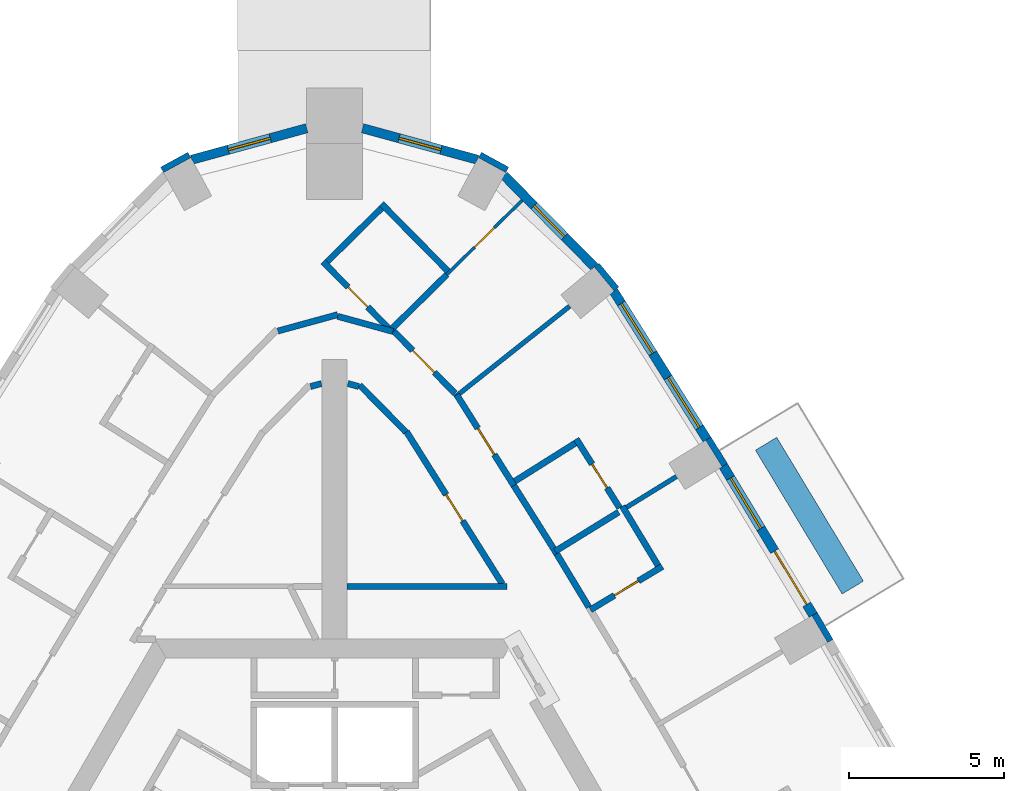
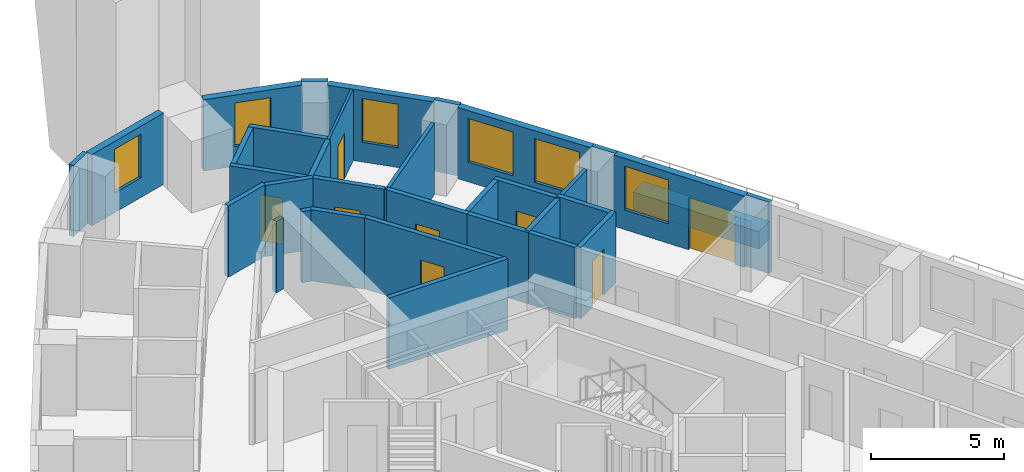
# One storey, part 10 of 14: 34 walls, 8 doors, 6 windows, 14 openings.
"""IFC4 building model written with IfcOpenShell, lengths in metres."""

from ifc_helpers import new_model, si_unit, direction, frame, frame_2d, origin, place, context, subcontext, project, spatial, rectangle, extrude, material, layer, layer_set, type_object, element, fill, save


model = new_model("IFC4")

# Units and contexts
model_context = context("Model", 3, precision=1e-05, world=origin(), true_north=direction((0.0, 1.0)))
body_context = subcontext(model_context, "Body", "Model", "MODEL_VIEW")
ifc_project = project(units=[si_unit("LENGTHUNIT", "METRE"), si_unit("AREAUNIT", "SQUARE_METRE"), si_unit("VOLUMEUNIT", "CUBIC_METRE"), si_unit("PLANEANGLEUNIT", "RADIAN"), si_unit("MASSUNIT", "GRAM", prefix="KILO")], contexts=[model_context])

# Site, building, storey
site_placement = place(None, origin())
site = spatial("IfcSite", under=ifc_project, at=site_placement, CompositionType="ELEMENT")
building_placement = place(site_placement, origin())
building = spatial("IfcBuilding", under=site, at=building_placement, Name="Entoto Arch Interchange Tower", CompositionType="ELEMENT")
storey_placement = place(building_placement, frame((0.0, 0.0, 252.199951171875)))
storey = spatial("IfcBuildingStorey", under=building, at=storey_placement, Name="L57", CompositionType="ELEMENT", Elevation=252.199951171875)

# Wall, opening, door
ifc_material_1 = material(Name="Gypsum board partition on steel studs", Category="steel")
ifc_layer_1 = layer(ifc_material_1, 0.10009765625)
ifc_layer_set_1 = layer_set([ifc_layer_1], Name="Gypsum board partition on steel studs")
wall_type_1 = type_object("IfcWallType", Name="PARTITION 100", PredefinedType="PARTITIONING", material=ifc_layer_set_1)
wall_1_placement = place(storey_placement, frame((3.613037109375, 24.237060546875, 0.0), z_axis=(0.0, 0.0, 1.0), x_axis=(0.711651188682, 0.702532978335, 0.0)))
wall_1 = element("IfcWall", 1, at=wall_1_placement, inside=storey, type_object=wall_type_1, Name="wall:L57:p150", PredefinedType="PARTITIONING", context=body_context, shape_type="SweptSolid", body=[
    extrude(rectangle(XDim=3.400390625, YDim=0.10009765625, at=frame_2d((1.7001953125, 0.0))), origin(), (0.0, 0.0, 1.0), 3.260009765625),
])
opening_1_placement = place(wall_1_placement, frame((1.25, 0.0, 0.0)))
opening_1 = element("IfcOpeningElement", 2, at=opening_1_placement, cuts=wall_1, Name="Opening L57-D17", PredefinedType="OPENING", context=body_context, shape_type="SweptSolid", body=[
    extrude(rectangle(XDim=0.89990234375, YDim=2.10009765625, at=frame_2d((0.449951171875, 1.050048828125))), frame((0.0, 0.06005859375, 0.0), z_axis=(0.0, -1.0, 0.0), x_axis=(1.0, 0.0, 0.0)), (0.0, 0.0, 1.0), 0.1201171875),
])
ifc_material_2 = material(Name="Timber door leaf in Steel S235 frame", Category="steel")
door_type_1 = type_object("IfcDoorType", Name="DOOR DS-09 900x2100", OperationType="SINGLE_SWING_LEFT", PredefinedType="DOOR", material=ifc_material_2)
door_1_placement = place(opening_1_placement, origin())
door_1 = element("IfcDoor", 3, at=door_1_placement, inside=storey, type_object=door_type_1, Name="door:L57:17", OperationType="SINGLE_SWING_RIGHT", OverallHeight=2.10009765625, OverallWidth=0.89990234375, PredefinedType="DOOR", context=body_context, shape_type="SweptSolid", body=[
    extrude(rectangle(XDim=0.89990234375, YDim=2.10009765625, at=frame_2d((0.449951171875, 1.050048828125))), frame((0.0, 0.02490234375, 0.0), z_axis=(0.0, -1.0, 0.0), x_axis=(1.0, 0.0, 0.0)), (0.0, 0.0, 1.0), 0.050048828125),
])
fill(opening_1, door_1)

# Walls
ifc_layer_2 = layer(ifc_material_1, 0.14990234375)
ifc_layer_set_2 = layer_set([ifc_layer_2], Name="Gypsum board partition on steel studs")
wall_type_2 = type_object("IfcWallType", Name="PARTITION 150", PredefinedType="PARTITIONING", material=ifc_layer_set_2)
wall_2_placement = place(storey_placement, frame((9.39501953125, 16.74609375, 0.0), z_axis=(0.0, 0.0, 1.0), x_axis=(0.851524542888, 0.524314745987, 0.0)))
element("IfcWall", 4, at=wall_2_placement, inside=storey, type_object=wall_type_2, Name="wall:L57:p145", PredefinedType="PARTITIONING", context=body_context, shape_type="SweptSolid", body=[
    extrude(rectangle(XDim=1.880126953125, YDim=0.14990234375, at=frame_2d((0.93994140625, 0.0))), origin(), (0.0, 0.0, 1.0), 3.260009765625),
])
wall_3_placement = place(storey_placement, frame((3.863037109375, 20.283935546875, 0.0), z_axis=(0.0, 0.0, 1.0), x_axis=(0.783618453885, 0.621242399335, 0.0)))
element("IfcWall", 5, at=wall_3_placement, inside=storey, type_object=wall_type_2, Name="wall:L57:p149", PredefinedType="PARTITIONING", context=body_context, shape_type="SweptSolid", body=[
    extrude(rectangle(XDim=4.716552734375, YDim=0.14990234375, at=frame_2d((2.3583984375, 0.0))), origin(), (0.0, 0.0, 1.0), 3.260009765625),
])
ifc_layer_3 = layer(ifc_material_1, 0.199951171875)
ifc_layer_set_3 = layer_set([ifc_layer_3], Name="Gypsum board partition on steel studs")
wall_type_3 = type_object("IfcWallType", Name="PARTITION 200", PredefinedType="PARTITIONING", material=ifc_layer_set_3)
wall_4_placement = place(storey_placement, frame((0.39990234375, 14.199951171875, 0.0), z_axis=(0.0, 0.0, 1.0), x_axis=(1.0, 0.0, 0.0)))
element("IfcWall", 6, at=wall_4_placement, inside=storey, type_object=wall_type_3, Name="wall:L57:p006", PredefinedType="PARTITIONING", context=body_context, shape_type="SweptSolid", body=[
    extrude(rectangle(XDim=5.14306640625, YDim=0.199951171875, at=frame_2d((2.571533203125, 0.0))), origin(), (0.0, 0.0, 1.0), 3.260009765625),
])

# Wall, opening, door
wall_5_placement = place(storey_placement, frame((5.39404296875, 14.281005859375, 0.0), z_axis=(0.0, 0.0, 1.0), x_axis=(-0.532551510955, 0.846397594621, 0.0)))
wall_5 = element("IfcWall", 7, at=wall_5_placement, inside=storey, type_object=wall_type_3, Name="wall:L57:p007", PredefinedType="PARTITIONING", context=body_context, shape_type="SweptSolid", body=[
    extrude(rectangle(XDim=5.7890625, YDim=0.199951171875, at=frame_2d((2.89453125, 0.0))), origin(), (0.0, 0.0, 1.0), 3.260009765625),
])
opening_2_placement = place(wall_5_placement, frame((2.39404296875, 0.0, 0.0)))
opening_2 = element("IfcOpeningElement", 8, at=opening_2_placement, cuts=wall_5, Name="Opening L57-D38", PredefinedType="OPENING", context=body_context, shape_type="SweptSolid", body=[
    extrude(rectangle(XDim=1.0, YDim=2.10009765625, at=frame_2d((0.5, 1.050048828125))), frame((0.0, 0.10986328125, 0.0), z_axis=(0.0, -1.0, 0.0), x_axis=(1.0, 0.0, 0.0)), (0.0, 0.0, 1.0), 0.219970703125),
])
door_type_2 = type_object("IfcDoorType", Name="DOOR DS-10 1000x2100", OperationType="SINGLE_SWING_LEFT", PredefinedType="DOOR", material=ifc_material_2)
door_2_placement = place(opening_2_placement, origin())
door_2 = element("IfcDoor", 9, at=door_2_placement, inside=storey, type_object=door_type_2, Name="door:L57:38", OperationType="SINGLE_SWING_LEFT", OverallHeight=2.10009765625, OverallWidth=1.0, PredefinedType="DOOR", context=body_context, shape_type="SweptSolid", body=[
    extrude(rectangle(XDim=1.0, YDim=2.10009765625, at=frame_2d((0.5, 1.050048828125))), frame((0.0, 0.02490234375, 0.0), z_axis=(0.0, -1.0, 0.0), x_axis=(1.0, 0.0, 0.0)), (0.0, 0.0, 1.0), 0.050048828125),
])
fill(opening_2, door_2)

# Walls
wall_6_placement = place(storey_placement, frame((2.2939453125, 19.1669921875, 0.0), z_axis=(0.0, 0.0, 1.0), x_axis=(-0.70213913596, 0.712039769784, 0.0)))
element("IfcWall", 10, at=wall_6_placement, inside=storey, type_object=wall_type_3, Name="wall:L57:p008", PredefinedType="PARTITIONING", context=body_context, shape_type="SweptSolid", body=[
    extrude(rectangle(XDim=2.12060546875, YDim=0.199951171875, at=frame_2d((1.060302734375, 0.0))), origin(), (0.0, 0.0, 1.0), 3.260009765625),
])
for number, where, z_axis, x_axis, name in (
    (11, (0.778076171875, 20.632080078125, 0.0), (0.0, 0.0, 1.0), (-0.964810127056, 0.262947558899, 0.0), "wall:L57:p009"),
    (12, (-0.426025390625, 20.72802734375, 0.0), (0.0, 0.0, 1.0), (-0.964810127056, -0.262947558899, 0.0), "wall:L57:p011"),
):
    element("IfcWall", number, at=place(storey_placement, frame(where, z_axis=z_axis, x_axis=x_axis)), inside=storey, type_object=wall_type_3, Name=name, PredefinedType="PARTITIONING", context=body_context, shape_type="SweptSolid", body=[
        extrude(rectangle(XDim=0.364990234375, YDim=0.199951171875, at=frame_2d((0.1826171875, 0.0))), origin(), (0.0, 0.0, 1.0), 3.260009765625),
    ])
wall_7_placement = place(storey_placement, frame((7.14794921875, 15.2451171875, 0.0), z_axis=(0.0, 0.0, 1.0), x_axis=(0.516361066184, -0.856370976463, 0.0)))
element("IfcWall", 13, at=wall_7_placement, inside=storey, type_object=wall_type_3, Name="wall:L57:p049", PredefinedType="PARTITIONING", context=body_context, shape_type="SweptSolid", body=[
    extrude(rectangle(XDim=2.00048828125, YDim=0.199951171875, at=frame_2d((1.000244140625, 0.0))), origin(), (0.0, 0.0, 1.0), 3.260009765625),
])

# Wall, opening, door
wall_8_placement = place(storey_placement, frame((3.927978515625, 20.366943359375, 0.0), z_axis=(0.0, 0.0, 1.0), x_axis=(0.532616247911, -0.846356858814, 0.0)))
wall_8 = element("IfcWall", 14, at=wall_8_placement, inside=storey, type_object=wall_type_3, Name="wall:L57:p050", PredefinedType="PARTITIONING", context=body_context, shape_type="SweptSolid", body=[
    extrude(rectangle(XDim=3.451171875, YDim=0.199951171875, at=frame_2d((1.7255859375, 0.0))), origin(), (0.0, 0.0, 1.0), 3.260009765625),
])
opening_3_placement = place(wall_8_placement, frame((1.27490234375, 0.0, 0.0)))
opening_3 = element("IfcOpeningElement", 15, at=opening_3_placement, cuts=wall_8, Name="Opening L57-D14", PredefinedType="OPENING", context=body_context, shape_type="SweptSolid", body=[
    extrude(rectangle(XDim=1.0, YDim=2.10009765625, at=frame_2d((0.5, 1.050048828125))), frame((0.0, 0.10986328125, 0.0), z_axis=(0.0, -1.0, 0.0), x_axis=(1.0, 0.0, 0.0)), (0.0, 0.0, 1.0), 0.219970703125),
])
ifc_material_3 = material(Name="Fire-rated Steel S235 door and frame", Category="steel")
door_type_3 = type_object("IfcDoorType", Name="DOOR FD-10 1000x2100", OperationType="SINGLE_SWING_LEFT", PredefinedType="DOOR", material=ifc_material_3)
door_3_placement = place(opening_3_placement, origin())
door_3 = element("IfcDoor", 16, at=door_3_placement, inside=storey, type_object=door_type_3, Name="door:L57:14", OperationType="SINGLE_SWING_LEFT", OverallHeight=2.10009765625, OverallWidth=1.0, PredefinedType="DOOR", context=body_context, shape_type="SweptSolid", body=[
    extrude(rectangle(XDim=1.0, YDim=2.10009765625, at=frame_2d((0.5, 1.050048828125))), frame((0.0, 0.02490234375, 0.0), z_axis=(0.0, -1.0, 0.0), x_axis=(1.0, 0.0, 0.0)), (0.0, 0.0, 1.0), 0.050048828125),
])
fill(opening_3, door_3)

# Wall
wall_9_placement = place(storey_placement, frame((5.76611328125, 17.446044921875, 0.0), z_axis=(0.0, 0.0, 1.0), x_axis=(0.532437006176, -0.846469629966, 0.0)))
element("IfcWall", 17, at=wall_9_placement, inside=storey, type_object=wall_type_3, Name="wall:L57:p051", PredefinedType="PARTITIONING", context=body_context, shape_type="SweptSolid", body=[
    extrude(rectangle(XDim=2.598876953125, YDim=0.199951171875, at=frame_2d((1.29931640625, 0.0))), origin(), (0.0, 0.0, 1.0), 3.260009765625),
])

# Wall, opening, door
wall_10_placement = place(storey_placement, frame((1.85107421875, 22.464111328125, 0.0), z_axis=(0.0, 0.0, 1.0), x_axis=(0.70237969133, -0.711802479068, 0.0)))
wall_10 = element("IfcWall", 18, at=wall_10_placement, inside=storey, type_object=wall_type_3, Name="wall:L57:p052", PredefinedType="PARTITIONING", context=body_context, shape_type="SweptSolid", body=[
    extrude(rectangle(XDim=2.8759765625, YDim=0.199951171875, at=frame_2d((1.43798828125, 0.0))), origin(), (0.0, 0.0, 1.0), 3.260009765625),
])
opening_4_placement = place(wall_10_placement, frame((0.93798828125, 0.0, 0.0)))
opening_4 = element("IfcOpeningElement", 19, at=opening_4_placement, cuts=wall_10, Name="Opening L57-D16", PredefinedType="OPENING", context=body_context, shape_type="SweptSolid", body=[
    extrude(rectangle(XDim=1.0, YDim=2.10009765625, at=frame_2d((0.5, 1.050048828125))), frame((0.0, 0.10986328125, 0.0), z_axis=(0.0, -1.0, 0.0), x_axis=(1.0, 0.0, 0.0)), (0.0, 0.0, 1.0), 0.219970703125),
])
door_4_placement = place(opening_4_placement, origin())
door_4 = element("IfcDoor", 20, at=door_4_placement, inside=storey, type_object=door_type_3, Name="door:L57:16", OperationType="SINGLE_SWING_LEFT", OverallHeight=2.10009765625, OverallWidth=1.0, PredefinedType="DOOR", context=body_context, shape_type="SweptSolid", body=[
    extrude(rectangle(XDim=1.0, YDim=2.10009765625, at=frame_2d((0.5, 1.050048828125))), frame((0.0, 0.02490234375, 0.0), z_axis=(0.0, -1.0, 0.0), x_axis=(1.0, 0.0, 0.0)), (0.0, 0.0, 1.0), 0.050048828125),
])
fill(opening_4, door_4)

# Walls
wall_11_placement = place(storey_placement, frame((-1.824951171875, 22.4189453125, 0.0), z_axis=(0.0, 0.0, 1.0), x_axis=(0.964477541401, 0.26416485787, 0.0)))
element("IfcWall", 21, at=wall_11_placement, inside=storey, type_object=wall_type_3, Name="wall:L57:p054", PredefinedType="PARTITIONING", context=body_context, shape_type="SweptSolid", body=[
    extrude(rectangle(XDim=1.99169921875, YDim=0.199951171875, at=frame_2d((0.995849609375, 0.0))), origin(), (0.0, 0.0, 1.0), 3.260009765625),
])
wall_12_placement = place(storey_placement, frame((0.095947265625, 22.89208984375, 0.0), z_axis=(0.0, 0.0, 1.0), x_axis=(0.964519582336, -0.264011316595, 0.0)))
element("IfcWall", 22, at=wall_12_placement, inside=storey, type_object=wall_type_3, Name="wall:L57:p055", PredefinedType="PARTITIONING", context=body_context, shape_type="SweptSolid", body=[
    extrude(rectangle(XDim=1.8486328125, YDim=0.199951171875, at=frame_2d((0.92431640625, 0.0))), origin(), (0.0, 0.0, 1.0), 3.260009765625),
])

# Wall, opening, door
wall_13_placement = place(storey_placement, frame((8.23291015625, 13.446044921875, 0.0), z_axis=(0.0, 0.0, 1.0), x_axis=(0.856373825811, 0.516356340589, 0.0)))
wall_13 = element("IfcWall", 23, at=wall_13_placement, inside=storey, type_object=wall_type_3, Name="wall:L57:p143", PredefinedType="PARTITIONING", context=body_context, shape_type="SweptSolid", body=[
    extrude(rectangle(XDim=2.69970703125, YDim=0.199951171875, at=frame_2d((1.349853515625, 0.0))), origin(), (0.0, 0.0, 1.0), 3.260009765625),
])
opening_5_placement = place(wall_13_placement, frame((0.89990234375, 0.0, 0.0)))
opening_5 = element("IfcOpeningElement", 24, at=opening_5_placement, cuts=wall_13, Name="Opening L57-D13", PredefinedType="OPENING", context=body_context, shape_type="SweptSolid", body=[
    extrude(rectangle(XDim=0.89990234375, YDim=2.10009765625, at=frame_2d((0.449951171875, 1.050048828125))), frame((0.0, 0.10986328125, 0.0), z_axis=(0.0, -1.0, 0.0), x_axis=(1.0, 0.0, 0.0)), (0.0, 0.0, 1.0), 0.219970703125),
])
door_5_placement = place(opening_5_placement, origin())
door_5 = element("IfcDoor", 25, at=door_5_placement, inside=storey, type_object=door_type_1, Name="door:L57:13", OperationType="SINGLE_SWING_LEFT", OverallHeight=2.10009765625, OverallWidth=0.89990234375, PredefinedType="DOOR", context=body_context, shape_type="SweptSolid", body=[
    extrude(rectangle(XDim=0.89990234375, YDim=2.10009765625, at=frame_2d((0.449951171875, 1.050048828125))), frame((0.0, 0.02490234375, 0.0), z_axis=(0.0, -1.0, 0.0), x_axis=(1.0, 0.0, 0.0)), (0.0, 0.0, 1.0), 0.050048828125),
])
fill(opening_5, door_5)

# Walls
wall_14_placement = place(storey_placement, frame((10.407958984375, 14.8740234375, 0.0), z_axis=(0.0, 0.0, 1.0), x_axis=(-0.516768967276, 0.856124894195, 0.0)))
element("IfcWall", 26, at=wall_14_placement, inside=storey, type_object=wall_type_3, Name="wall:L57:p144", PredefinedType="PARTITIONING", context=body_context, shape_type="SweptSolid", body=[
    extrude(rectangle(XDim=2.22509765625, YDim=0.199951171875, at=frame_2d((1.112548828125, 0.0))), origin(), (0.0, 0.0, 1.0), 3.260009765625),
])
wall_15_placement = place(storey_placement, frame((7.096923828125, 15.330078125, 0.0), z_axis=(0.0, 0.0, 1.0), x_axis=(0.851207242031, 0.524829716302, 0.0)))
element("IfcWall", 27, at=wall_15_placement, inside=storey, type_object=wall_type_3, Name="wall:L57:p146", PredefinedType="PARTITIONING", context=body_context, shape_type="SweptSolid", body=[
    extrude(rectangle(XDim=2.39892578125, YDim=0.199951171875, at=frame_2d((1.199462890625, 0.0))), origin(), (0.0, 0.0, 1.0), 3.260009765625),
])

# Wall, opening, door
wall_16_placement = place(storey_placement, frame((9.172119140625, 16.72509765625, 0.0), z_axis=(0.0, 0.0, 1.0), x_axis=(-0.532329646536, 0.846537150643, 0.0)))
wall_16 = element("IfcWall", 28, at=wall_16_placement, inside=storey, type_object=wall_type_3, Name="wall:L57:p147", PredefinedType="PARTITIONING", context=body_context, shape_type="SweptSolid", body=[
    extrude(rectangle(XDim=2.624755859375, YDim=0.199951171875, at=frame_2d((1.3125, 0.0))), origin(), (0.0, 0.0, 1.0), 3.260009765625),
])
opening_6_placement = place(wall_16_placement, frame((0.762939453125, 0.0, 0.0)))
opening_6 = element("IfcOpeningElement", 29, at=opening_6_placement, cuts=wall_16, Name="Opening L57-D15", PredefinedType="OPENING", context=body_context, shape_type="SweptSolid", body=[
    extrude(rectangle(XDim=0.89990234375, YDim=2.10009765625, at=frame_2d((0.449951171875, 1.050048828125))), frame((0.0, 0.10986328125, 0.0), z_axis=(0.0, -1.0, 0.0), x_axis=(1.0, 0.0, 0.0)), (0.0, 0.0, 1.0), 0.219970703125),
])
door_6_placement = place(opening_6_placement, origin())
door_6 = element("IfcDoor", 30, at=door_6_placement, inside=storey, type_object=door_type_1, Name="door:L57:15", OperationType="SINGLE_SWING_LEFT", OverallHeight=2.10009765625, OverallWidth=0.89990234375, PredefinedType="DOOR", context=body_context, shape_type="SweptSolid", body=[
    extrude(rectangle(XDim=0.89990234375, YDim=2.10009765625, at=frame_2d((0.449951171875, 1.050048828125))), frame((0.0, 0.02490234375, 0.0), z_axis=(0.0, -1.0, 0.0), x_axis=(1.0, 0.0, 0.0)), (0.0, 0.0, 1.0), 0.050048828125),
])
fill(opening_6, door_6)

# Walls
wall_17_placement = place(storey_placement, frame((7.743896484375, 18.80908203125, 0.0), z_axis=(0.0, 0.0, 1.0), x_axis=(-0.846360434059, -0.532610566605, 0.0)))
element("IfcWall", 31, at=wall_17_placement, inside=storey, type_object=wall_type_3, Name="wall:L57:p148", PredefinedType="PARTITIONING", context=body_context, shape_type="SweptSolid", body=[
    extrude(rectangle(XDim=2.30029296875, YDim=0.199951171875, at=frame_2d((1.150146484375, 0.0))), origin(), (0.0, 0.0, 1.0), 3.260009765625),
])
wall_18_placement = place(storey_placement, frame((1.798095703125, 22.446044921875, 0.0), z_axis=(0.0, 0.0, 1.0), x_axis=(0.711782817297, 0.702399616316, 0.0)))
element("IfcWall", 32, at=wall_18_placement, inside=storey, type_object=wall_type_3, Name="wall:L57:p151", PredefinedType="PARTITIONING", context=body_context, shape_type="SweptSolid", body=[
    extrude(rectangle(XDim=2.5498046875, YDim=0.199951171875, at=frame_2d((1.27490234375, 0.0))), origin(), (0.0, 0.0, 1.0), 3.260009765625),
])
wall_19_placement = place(storey_placement, frame((3.718994140625, 24.27197265625, 0.0), z_axis=(0.0, 0.0, 1.0), x_axis=(-0.70232328337, 0.711858135893, 0.0)))
element("IfcWall", 33, at=wall_19_placement, inside=storey, type_object=wall_type_3, Name="wall:L57:p152", PredefinedType="PARTITIONING", context=body_context, shape_type="SweptSolid", body=[
    extrude(rectangle(XDim=3.1494140625, YDim=0.199951171875, at=frame_2d((1.57470703125, 0.0))), origin(), (0.0, 0.0, 1.0), 3.260009765625),
])
wall_20_placement = place(storey_placement, frame((1.506103515625, 26.3720703125, 0.0), z_axis=(0.0, 0.0, 1.0), x_axis=(-0.711773999329, -0.702408551969, 0.0)))
element("IfcWall", 34, at=wall_20_placement, inside=storey, type_object=wall_type_3, Name="wall:L57:p153", PredefinedType="PARTITIONING", context=body_context, shape_type="SweptSolid", body=[
    extrude(rectangle(XDim=2.450439453125, YDim=0.199951171875, at=frame_2d((1.22509765625, 0.0))), origin(), (0.0, 0.0, 1.0), 3.260009765625),
])

# Wall, opening, door
wall_21_placement = place(storey_placement, frame((-0.37890625, 24.652099609375, 0.0), z_axis=(0.0, 0.0, 1.0), x_axis=(0.702559610983, -0.711624896286, 0.0)))
wall_21 = element("IfcWall", 35, at=wall_21_placement, inside=storey, type_object=wall_type_3, Name="wall:L57:p154", PredefinedType="PARTITIONING", context=body_context, shape_type="SweptSolid", body=[
    extrude(rectangle(XDim=3.1240234375, YDim=0.199951171875, at=frame_2d((1.56201171875, 0.0))), origin(), (0.0, 0.0, 1.0), 3.260009765625),
])
opening_7_placement = place(wall_21_placement, frame((1.14990234375, 0.0, 0.0)))
opening_7 = element("IfcOpeningElement", 36, at=opening_7_placement, cuts=wall_21, Name="Opening L57-D18", PredefinedType="OPENING", context=body_context, shape_type="SweptSolid", body=[
    extrude(rectangle(XDim=0.89990234375, YDim=2.10009765625, at=frame_2d((0.449951171875, 1.050048828125))), frame((0.0, 0.10986328125, 0.0), z_axis=(0.0, -1.0, 0.0), x_axis=(1.0, 0.0, 0.0)), (0.0, 0.0, 1.0), 0.219970703125),
])
door_7_placement = place(opening_7_placement, origin())
door_7 = element("IfcDoor", 37, at=door_7_placement, inside=storey, type_object=door_type_1, Name="door:L57:18", OperationType="SINGLE_SWING_RIGHT", OverallHeight=2.10009765625, OverallWidth=0.89990234375, PredefinedType="DOOR", context=body_context, shape_type="SweptSolid", body=[
    extrude(rectangle(XDim=0.89990234375, YDim=2.10009765625, at=frame_2d((0.449951171875, 1.050048828125))), frame((0.0, 0.02490234375, 0.0), z_axis=(0.0, -1.0, 0.0), x_axis=(1.0, 0.0, 0.0)), (0.0, 0.0, 1.0), 0.050048828125),
])
fill(opening_7, door_7)

# Wall
ifc_material_4 = material(Name="Board-marked precast concrete C50/60", Category="concrete")
ifc_layer_4 = layer(ifc_material_4, 0.800048828125)
ifc_layer_set_4 = layer_set([ifc_layer_4], Name="Board-marked precast concrete C50/60")
wall_type_4 = type_object("IfcWallType", Name="PLANTER RC 800 Vachellia abyssinica", PredefinedType="STANDARD", material=ifc_layer_set_4)
wall_22_placement = place(storey_placement, frame((16.675048828125, 14.1630859375, 0.0), z_axis=(0.0, 0.0, 1.0), x_axis=(-0.516301759386, 0.856406733542, 0.0)))
element("IfcWall", 38, at=wall_22_placement, inside=storey, type_object=wall_type_4, Name="Planter NE-04 L57", PredefinedType="STANDARD", context=body_context, shape_type="SweptSolid", body=[
    extrude(rectangle(XDim=5.40380859375, YDim=0.800048828125, at=frame_2d((2.701904296875, 0.0))), origin(), (0.0, 0.0, 1.0), 0.800048828125),
])

# Wall, openings, door, window
ifc_material_5 = material(Name="Welded tuff (ignimbrite) cladding, warm buff", Category="masonry")
ifc_layer_5 = layer(ifc_material_5, 0.300048828125)
ifc_layer_set_5 = layer_set([ifc_layer_5], Name="Welded tuff (ignimbrite) cladding, warm buff")
wall_type_5 = type_object("IfcWallType", Name="STONE INFILL WALL 300", PredefinedType="STANDARD", material=ifc_layer_set_5)
wall_23_placement = place(storey_placement, frame((15.39892578125, 13.277099609375, 0.0), z_axis=(0.0, 0.0, 1.0), x_axis=(-0.516269519619, 0.856426169096, 0.0)))
wall_23 = element("IfcWall", 39, at=wall_23_placement, inside=storey, type_object=wall_type_5, Name="Facade wall NE-04 L57", PredefinedType="STANDARD", context=body_context, shape_type="SweptSolid", body=[
    extrude(rectangle(XDim=5.603271484375, YDim=0.300048828125, at=frame_2d((2.8017578125, 0.0))), origin(), (0.0, 0.0, 1.0), 3.260009765625),
])
opening_8_placement = place(wall_23_placement, frame((0.40087890625, 0.0, 0.0)))
opening_8 = element("IfcOpeningElement", 40, at=opening_8_placement, cuts=wall_23, Name="Opening DB-NE-04-L57", PredefinedType="OPENING", context=body_context, shape_type="SweptSolid", body=[
    extrude(rectangle(XDim=2.0, YDim=2.39990234375, at=frame_2d((1.0, 1.199951171875))), frame((0.0, 0.16015625, 0.0), z_axis=(0.0, -1.0, 0.0), x_axis=(1.0, 0.0, 0.0)), (0.0, 0.0, 1.0), 0.320068359375),
])
opening_9_placement = place(wall_23_placement, frame((3.2529296875, 0.0, 0.89990234375)))
opening_9 = element("IfcOpeningElement", 41, at=opening_9_placement, cuts=wall_23, Name="Opening WH-C", PredefinedType="OPENING", context=body_context, shape_type="SweptSolid", body=[
    extrude(rectangle(XDim=1.89990234375, YDim=2.0, at=frame_2d((0.949951171875, 1.0))), frame((0.0, 0.16015625, 0.0), z_axis=(0.0, -1.0, 0.0), x_axis=(1.0, 0.0, 0.0)), (0.0, 0.0, 1.0), 0.320068359375),
])
ifc_material_6 = material(Name="Aluminium and clear glass, anodised", Category="aluminium")
door_type_4 = type_object("IfcDoorType", Name="BALCONY DOOR DB 2000x2400", OperationType="SLIDING_TO_LEFT", PredefinedType="DOOR", material=ifc_material_6)
door_8_placement = place(opening_8_placement, origin())
door_8 = element("IfcDoor", 42, at=door_8_placement, inside=storey, type_object=door_type_4, Name="Balcony door NE-04 L57", OperationType="SLIDING_TO_LEFT", OverallHeight=2.39990234375, OverallWidth=2.0, PredefinedType="DOOR", context=body_context, shape_type="SweptSolid", body=[
    extrude(rectangle(XDim=2.0, YDim=2.39990234375, at=frame_2d((1.0, 1.199951171875))), frame((0.0, 0.02490234375, 0.0), z_axis=(0.0, -1.0, 0.0), x_axis=(1.0, 0.0, 0.0)), (0.0, 0.0, 1.0), 0.050048828125),
])
fill(opening_8, door_8)
ifc_material_7 = material(Name="Clear glass, low-e double glazed", Category="glass")
window_type_1 = type_object("IfcWindowType", Name="WINDOW WH-C 1900x2000", PartitioningType="DOUBLE_PANEL_VERTICAL", PredefinedType="WINDOW", material=ifc_material_7)
window_1_placement = place(opening_9_placement, origin())
window_1 = element("IfcWindow", 43, at=window_1_placement, inside=storey, type_object=window_type_1, Name="Window WH-C NE-04 L57", OverallHeight=2.0, OverallWidth=1.89990234375, PartitioningType="SINGLE_PANEL", PredefinedType="WINDOW", context=body_context, shape_type="SweptSolid", body=[
    extrude(rectangle(XDim=1.89990234375, YDim=2.0, at=frame_2d((0.949951171875, 1.0))), frame((0.0, 0.030029296875, 0.0), z_axis=(0.0, -1.0, 0.0), x_axis=(1.0, 0.0, 0.0)), (0.0, 0.0, 1.0), 0.06005859375),
])
fill(opening_9, window_1)

# Wall, openings, windows
wall_24_placement = place(storey_placement, frame((11.98291015625, 18.926025390625, 0.0), z_axis=(0.0, 0.0, 1.0), x_axis=(-0.532558226688, 0.846393369059, 0.0)))
wall_24 = element("IfcWall", 44, at=wall_24_placement, inside=storey, type_object=wall_type_5, Name="Facade wall NE-05 L57", PredefinedType="STANDARD", context=body_context, shape_type="SweptSolid", body=[
    extrude(rectangle(XDim=5.636962890625, YDim=0.300048828125, at=frame_2d((2.818359375, 0.0))), origin(), (0.0, 0.0, 1.0), 3.260009765625),
])
opening_10_placement = place(wall_24_placement, frame((0.458984375, 0.0, 0.89990234375)))
opening_10 = element("IfcOpeningElement", 45, at=opening_10_placement, cuts=wall_24, Name="Opening WH-C", PredefinedType="OPENING", context=body_context, shape_type="SweptSolid", body=[
    extrude(rectangle(XDim=1.89990234375, YDim=2.0, at=frame_2d((0.949951171875, 1.0))), frame((0.0, 0.16015625, 0.0), z_axis=(0.0, -1.0, 0.0), x_axis=(1.0, 0.0, 0.0)), (0.0, 0.0, 1.0), 0.320068359375),
])
opening_11_placement = place(wall_24_placement, frame((3.278076171875, 0.0, 0.89990234375)))
opening_11 = element("IfcOpeningElement", 46, at=opening_11_placement, cuts=wall_24, Name="Opening WH-C", PredefinedType="OPENING", context=body_context, shape_type="SweptSolid", body=[
    extrude(rectangle(XDim=1.89990234375, YDim=2.0, at=frame_2d((0.949951171875, 1.0))), frame((0.0, 0.16015625, 0.0), z_axis=(0.0, -1.0, 0.0), x_axis=(1.0, 0.0, 0.0)), (0.0, 0.0, 1.0), 0.320068359375),
])
window_2_placement = place(opening_10_placement, origin())
window_2 = element("IfcWindow", 47, at=window_2_placement, inside=storey, type_object=window_type_1, Name="Window WH-C NE-05 L57", OverallHeight=2.0, OverallWidth=1.89990234375, PartitioningType="SINGLE_PANEL", PredefinedType="WINDOW", context=body_context, shape_type="SweptSolid", body=[
    extrude(rectangle(XDim=1.89990234375, YDim=2.0, at=frame_2d((0.949951171875, 1.0))), frame((0.0, 0.030029296875, 0.0), z_axis=(0.0, -1.0, 0.0), x_axis=(1.0, 0.0, 0.0)), (0.0, 0.0, 1.0), 0.06005859375),
])
fill(opening_10, window_2)
window_3_placement = place(opening_11_placement, origin())
window_3 = element("IfcWindow", 48, at=window_3_placement, inside=storey, type_object=window_type_1, Name="Window WH-C NE-05 L57", OverallHeight=2.0, OverallWidth=1.89990234375, PartitioningType="SINGLE_PANEL", PredefinedType="WINDOW", context=body_context, shape_type="SweptSolid", body=[
    extrude(rectangle(XDim=1.89990234375, YDim=2.0, at=frame_2d((0.949951171875, 1.0))), frame((0.0, 0.030029296875, 0.0), z_axis=(0.0, -1.0, 0.0), x_axis=(1.0, 0.0, 0.0)), (0.0, 0.0, 1.0), 0.06005859375),
])
fill(opening_11, window_3)

# Wall, opening, window
wall_25_placement = place(storey_placement, frame((8.361083984375, 24.47998046875, 0.0), z_axis=(0.0, 0.0, 1.0), x_axis=(-0.702488411246, 0.711695181989, 0.0)))
wall_25 = element("IfcWall", 49, at=wall_25_placement, inside=storey, type_object=wall_type_5, Name="Facade wall N-01 L57", PredefinedType="STANDARD", context=body_context, shape_type="SweptSolid", body=[
    extrude(rectangle(XDim=4.13671875, YDim=0.300048828125, at=frame_2d((2.068359375, 0.0))), origin(), (0.0, 0.0, 1.0), 3.260009765625),
])
opening_12_placement = place(wall_25_placement, frame((1.367919921875, 0.0, 0.89990234375)))
opening_12 = element("IfcOpeningElement", 50, at=opening_12_placement, cuts=wall_25, Name="Opening WH-B", PredefinedType="OPENING", context=body_context, shape_type="SweptSolid", body=[
    extrude(rectangle(XDim=1.39990234375, YDim=2.0, at=frame_2d((0.699951171875, 1.0))), frame((0.0, 0.16015625, 0.0), z_axis=(0.0, -1.0, 0.0), x_axis=(1.0, 0.0, 0.0)), (0.0, 0.0, 1.0), 0.320068359375),
])
window_type_2 = type_object("IfcWindowType", Name="WINDOW WH-B 1400x2000", PartitioningType="DOUBLE_PANEL_VERTICAL", PredefinedType="WINDOW", material=ifc_material_7)
window_4_placement = place(opening_12_placement, origin())
window_4 = element("IfcWindow", 51, at=window_4_placement, inside=storey, type_object=window_type_2, Name="Window WH-B N-01 L57", OverallHeight=2.0, OverallWidth=1.39990234375, PartitioningType="SINGLE_PANEL", PredefinedType="WINDOW", context=body_context, shape_type="SweptSolid", body=[
    extrude(rectangle(XDim=1.39990234375, YDim=2.0, at=frame_2d((0.699951171875, 1.0))), frame((0.0, 0.030029296875, 0.0), z_axis=(0.0, -1.0, 0.0), x_axis=(1.0, 0.0, 0.0)), (0.0, 0.0, 1.0), 0.06005859375),
])
fill(opening_12, window_4)

wall_26_placement = place(storey_placement, frame((4.595947265625, 27.93310546875, 0.0), z_axis=(0.0, 0.0, 1.0), x_axis=(-0.964519409105, 0.264011949464, 0.0)))
wall_26 = element("IfcWall", 52, at=wall_26_placement, inside=storey, type_object=wall_type_5, Name="Facade wall N-02 L57", PredefinedType="STANDARD", context=body_context, shape_type="SweptSolid", body=[
    extrude(rectangle(XDim=3.8330078125, YDim=0.300048828125, at=frame_2d((1.91650390625, 0.0))), origin(), (0.0, 0.0, 1.0), 3.260009765625),
])
opening_13_placement = place(wall_26_placement, frame((1.217041015625, 0.0, 0.89990234375)))
opening_13 = element("IfcOpeningElement", 53, at=opening_13_placement, cuts=wall_26, Name="Opening WH-B", PredefinedType="OPENING", context=body_context, shape_type="SweptSolid", body=[
    extrude(rectangle(XDim=1.39990234375, YDim=2.0, at=frame_2d((0.699951171875, 1.0))), frame((0.0, 0.16015625, 0.0), z_axis=(0.0, -1.0, 0.0), x_axis=(1.0, 0.0, 0.0)), (0.0, 0.0, 1.0), 0.320068359375),
])
window_5_placement = place(opening_13_placement, origin())
window_5 = element("IfcWindow", 54, at=window_5_placement, inside=storey, type_object=window_type_2, Name="Window WH-B N-02 L57", OverallHeight=2.0, OverallWidth=1.39990234375, PartitioningType="SINGLE_PANEL", PredefinedType="WINDOW", context=body_context, shape_type="SweptSolid", body=[
    extrude(rectangle(XDim=1.39990234375, YDim=2.0, at=frame_2d((0.699951171875, 1.0))), frame((0.0, 0.030029296875, 0.0), z_axis=(0.0, -1.0, 0.0), x_axis=(1.0, 0.0, 0.0)), (0.0, 0.0, 1.0), 0.06005859375),
])
fill(opening_13, window_5)

wall_27_placement = place(storey_placement, frame((-0.89892578125, 28.945068359375, 0.0), z_axis=(0.0, 0.0, 1.0), x_axis=(-0.964519409105, -0.264011949464, 0.0)))
wall_27 = element("IfcWall", 55, at=wall_27_placement, inside=storey, type_object=wall_type_5, Name="Facade wall N-03 L57", PredefinedType="STANDARD", context=body_context, shape_type="SweptSolid", body=[
    extrude(rectangle(XDim=3.8330078125, YDim=0.300048828125, at=frame_2d((1.91650390625, 0.0))), origin(), (0.0, 0.0, 1.0), 3.260009765625),
])
opening_14_placement = place(wall_27_placement, frame((1.217041015625, 0.0, 0.89990234375)))
opening_14 = element("IfcOpeningElement", 56, at=opening_14_placement, cuts=wall_27, Name="Opening WH-B", PredefinedType="OPENING", context=body_context, shape_type="SweptSolid", body=[
    extrude(rectangle(XDim=1.39990234375, YDim=2.0, at=frame_2d((0.699951171875, 1.0))), frame((0.0, 0.16015625, 0.0), z_axis=(0.0, -1.0, 0.0), x_axis=(1.0, 0.0, 0.0)), (0.0, 0.0, 1.0), 0.320068359375),
])
window_6_placement = place(opening_14_placement, origin())
window_6 = element("IfcWindow", 57, at=window_6_placement, inside=storey, type_object=window_type_2, Name="Window WH-B N-03 L57", OverallHeight=2.0, OverallWidth=1.39990234375, PartitioningType="SINGLE_PANEL", PredefinedType="WINDOW", context=body_context, shape_type="SweptSolid", body=[
    extrude(rectangle(XDim=1.39990234375, YDim=2.0, at=frame_2d((0.699951171875, 1.0))), frame((0.0, 0.030029296875, 0.0), z_axis=(0.0, -1.0, 0.0), x_axis=(1.0, 0.0, 0.0)), (0.0, 0.0, 1.0), 0.06005859375),
])
fill(opening_14, window_6)

# Walls
ifc_layer_6 = layer(ifc_material_5, 0.199951171875)
ifc_layer_set_6 = layer_set([ifc_layer_6], Name="Welded tuff (ignimbrite) cladding, warm buff")
wall_type_6 = type_object("IfcWallType", Name="STONE PIER CLADDING 200", PredefinedType="STANDARD", material=ifc_layer_set_6)
for number, where, z_axis, x_axis, name in (
    (58, (5.554931640625, 27.60595703125, 0.0), (0.0, 0.0, 1.0), (-0.878250009632, 0.478201757191, 0.0), "Stone pier N1 L57"),
    (59, (-4.677001953125, 28.083984375, 0.0), (0.0, 0.0, 1.0), (-0.878250009632, -0.478201757191, 0.0), "Stone pier N3 L57"),
):
    element("IfcWall", number, at=place(storey_placement, frame(where, z_axis=z_axis, x_axis=x_axis)), inside=storey, type_object=wall_type_6, Name=name, PredefinedType="STANDARD", context=body_context, shape_type="SweptSolid", body=[
        extrude(rectangle(XDim=0.999755859375, YDim=0.199951171875, at=frame_2d((0.5, 0.0))), origin(), (0.0, 0.0, 1.0), 3.260009765625),
    ])
wall_28_placement = place(storey_placement, frame((15.9541015625, 12.445068359375, 0.0), z_axis=(0.0, 0.0, 1.0), x_axis=(-0.508268432768, 0.861198699634, 0.0)))
element("IfcWall", 60, at=wall_28_placement, inside=storey, type_object=wall_type_6, Name="Stone pier NE04 L57", PredefinedType="STANDARD", context=body_context, shape_type="SweptSolid", body=[
    extrude(rectangle(XDim=0.99951171875, YDim=0.199951171875, at=frame_2d((0.499755859375, 0.0))), origin(), (0.0, 0.0, 1.0), 3.260009765625),
])
wall_29_placement = place(storey_placement, frame((12.553955078125, 18.10400390625, 0.0), z_axis=(0.0, 0.0, 1.0), x_axis=(-0.525648735675, 0.850701714282, 0.0)))
element("IfcWall", 61, at=wall_29_placement, inside=storey, type_object=wall_type_6, Name="Stone pier NE05 L57", PredefinedType="STANDARD", context=body_context, shape_type="SweptSolid", body=[
    extrude(rectangle(XDim=1.00048828125, YDim=0.199951171875, at=frame_2d((0.500244140625, 0.0))), origin(), (0.0, 0.0, 1.0), 3.260009765625),
])
wall_30_placement = place(storey_placement, frame((9.071044921875, 23.77099609375, 0.0), z_axis=(0.0, 0.0, 1.0), x_axis=(-0.637972365578, 0.770059257953, 0.0)))
element("IfcWall", 62, at=wall_30_placement, inside=storey, type_object=wall_type_6, Name="Stone pier NE06 L57", PredefinedType="STANDARD", context=body_context, shape_type="SweptSolid", body=[
    extrude(rectangle(XDim=1.0, YDim=0.199951171875, at=frame_2d((0.5, 0.0))), origin(), (0.0, 0.0, 1.0), 3.260009765625),
])

save(model, "model.ifc")
